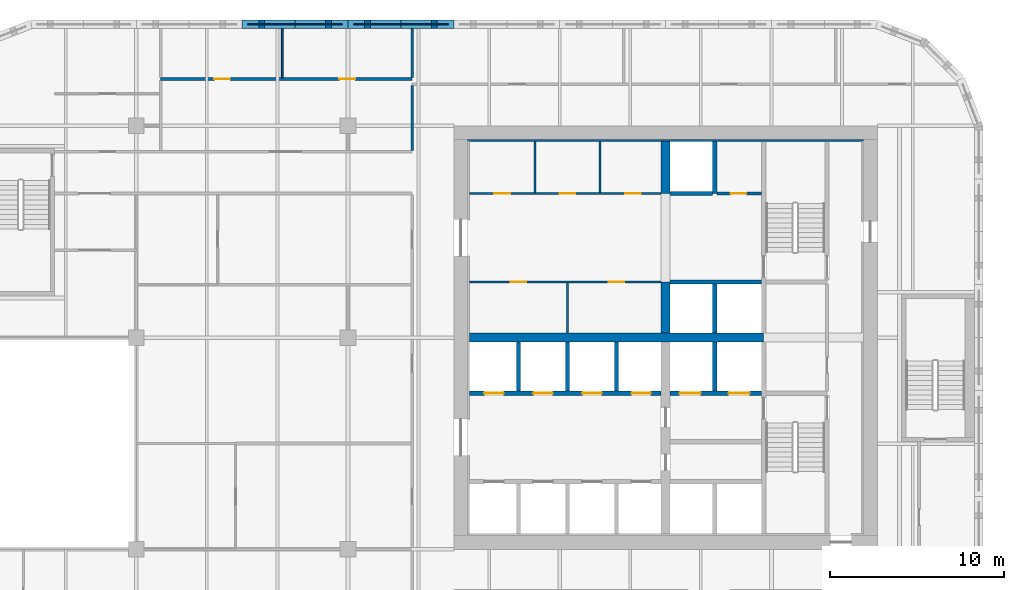
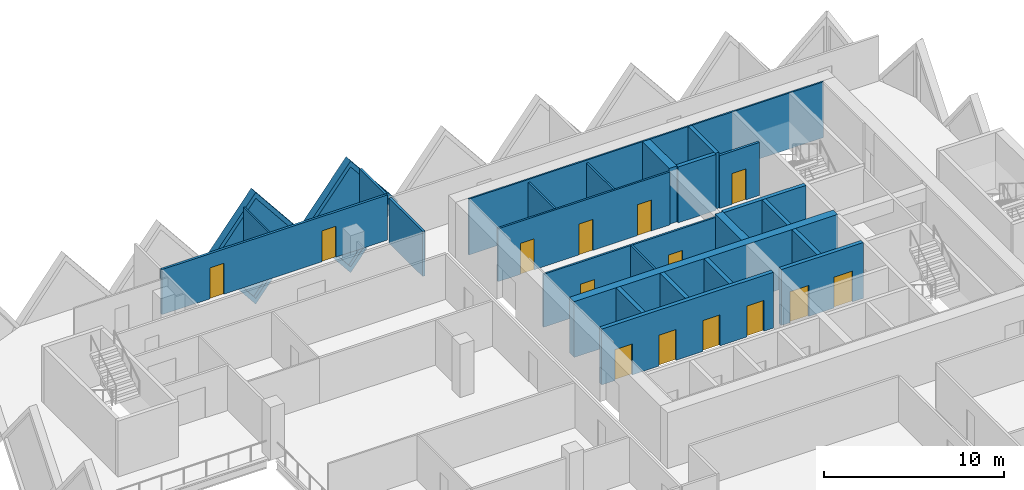
# One storey, part 9 of 19: 26 walls, 14 doors, 2 plates, 16 openings.
"""IFC4 building model written with IfcOpenShell, lengths in metres."""

from ifc_helpers import new_model, si_unit, direction, frame, frame_2d, origin, place, context, subcontext, project, spatial, polyline, rectangle, outline, extrude, faceted_brep, source, transform, mapped, material, layer, layer_set, type_object, element, fill, save


model = new_model("IFC4")

# Units and contexts
model_context = context("Model", 3, precision=1e-05, world=origin(), true_north=direction((0.0, 1.0)))
body_context = subcontext(model_context, "Body", "Model", "MODEL_VIEW")
ifc_project = project(units=[si_unit("LENGTHUNIT", "METRE"), si_unit("AREAUNIT", "SQUARE_METRE"), si_unit("VOLUMEUNIT", "CUBIC_METRE"), si_unit("PLANEANGLEUNIT", "RADIAN"), si_unit("MASSUNIT", "GRAM", prefix="KILO")], contexts=[model_context])

# Site, building, storey
site_placement = place(None, origin())
site = spatial("IfcSite", under=ifc_project, at=site_placement, CompositionType="ELEMENT")
building_placement = place(site_placement, origin())
building = spatial("IfcBuilding", under=site, at=building_placement, Name="Tessera Gate Towers", CompositionType="ELEMENT")
storey_placement = place(building_placement, frame((0.0, 0.0, 80.0)))
storey = spatial("IfcBuildingStorey", under=building, at=storey_placement, Name="L19", CompositionType="ELEMENT", Elevation=80.0)

# Wall, openings, doors
ifc_material_1 = material(Name="Concrete C40/50", Category="concrete")
ifc_layer_1 = layer(ifc_material_1, 0.25)
ifc_layer_set_1 = layer_set([ifc_layer_1], Name="CORE ENCLOSURE WALL 250")
wall_type_1 = type_object("IfcWallType", Name="CORE ENCLOSURE WALL 250", PredefinedType="SOLIDWALL", material=ifc_layer_set_1)
wall_1_placement = place(storey_placement, frame((42.449951171875, 33.39990234375, 0.0), z_axis=(0.0, 0.0, 1.0), x_axis=(-1.0, 0.0, 0.0)))
wall_1 = element("IfcWall", 1, at=wall_1_placement, inside=storey, type_object=wall_type_1, Name="L19 shaft and stair enclosure wall", PredefinedType="SOLIDWALL", context=body_context, shape_type="SweptSolid", body=[
    extrude(rectangle(XDim=11.050048828125, YDim=0.25, at=frame_2d((5.52490234375, 0.0))), origin(), (0.0, 0.0, 1.0), 3.800048828125),
])
shared_shape_1 = source(origin(), body_context, "Body", "SweptSolid", [
    extrude(rectangle(XDim=1.10009765625, YDim=2.10009765625, at=frame_2d((0.550048828125, 1.050048828125))), frame((0.0, 0.135009765625, 0.0), z_axis=(0.0, -1.0, 0.0), x_axis=(1.0, 0.0, 0.0)), (0.0, 0.0, 1.0), 0.27001953125),
])
opening_1_placement = place(wall_1_placement, frame((9.08740234375, 0.0, 0.0)))
opening_1 = element("IfcOpeningElement", 2, at=opening_1_placement, cuts=wall_1, Name="Opening LD-LR5", PredefinedType="OPENING", context=body_context, shape_type="MappedRepresentation", body=[
    mapped(shared_shape_1, transform((0.0, 0.0, 0.0), scale=1.0)),
])
opening_2_placement = place(wall_1_placement, frame((6.262451171875, 0.0, 0.0)))
opening_2 = element("IfcOpeningElement", 3, at=opening_2_placement, cuts=wall_1, Name="Opening LD-LR6", PredefinedType="OPENING", context=body_context, shape_type="MappedRepresentation", body=[
    mapped(shared_shape_1, transform((0.0, 0.0, 0.0), scale=1.0)),
])
opening_3_placement = place(wall_1_placement, frame((3.4375, 0.0, 0.0)))
opening_3 = element("IfcOpeningElement", 4, at=opening_3_placement, cuts=wall_1, Name="Opening LD-LR7", PredefinedType="OPENING", context=body_context, shape_type="MappedRepresentation", body=[
    mapped(shared_shape_1, transform((0.0, 0.0, 0.0), scale=1.0)),
])
opening_4_placement = place(wall_1_placement, frame((0.612548828125, 0.0, 0.0)))
opening_4 = element("IfcOpeningElement", 5, at=opening_4_placement, cuts=wall_1, Name="Opening LD-LR8", PredefinedType="OPENING", context=body_context, shape_type="MappedRepresentation", body=[
    mapped(shared_shape_1, transform((0.0, 0.0, 0.0), scale=1.0)),
])
ifc_material_2 = material(Name="Stainless steel", Category="steel")
door_type_1 = type_object("IfcDoorType", Name="CORE DOOR LD 1100x2100", OperationType="DOUBLE_DOOR_SLIDING", PredefinedType="DOOR", material=ifc_material_2)
shared_shape_2 = source(origin(), body_context, "Body", "SweptSolid", [
    extrude(rectangle(XDim=1.10009765625, YDim=2.10009765625, at=frame_2d((0.550048828125, 1.050048828125))), frame((0.0, 0.02490234375, 0.0), z_axis=(0.0, -1.0, 0.0), x_axis=(1.0, 0.0, 0.0)), (0.0, 0.0, 1.0), 0.050048828125),
])
door_1_placement = place(opening_1_placement, origin())
door_1 = element("IfcDoor", 6, at=door_1_placement, inside=storey, type_object=door_type_1, Name="Landing door LR5 L19", OperationType="DOUBLE_DOOR_SLIDING", OverallHeight=2.10009765625, OverallWidth=1.10009765625, PredefinedType="DOOR", context=body_context, shape_type="MappedRepresentation", body=[
    mapped(shared_shape_2, transform((0.0, 0.0, 0.0), scale=1.0)),
])
fill(opening_1, door_1)
door_2_placement = place(opening_2_placement, origin())
door_2 = element("IfcDoor", 7, at=door_2_placement, inside=storey, type_object=door_type_1, Name="Landing door LR6 L19", OperationType="DOUBLE_DOOR_SLIDING", OverallHeight=2.10009765625, OverallWidth=1.10009765625, PredefinedType="DOOR", context=body_context, shape_type="MappedRepresentation", body=[
    mapped(shared_shape_2, transform((0.0, 0.0, 0.0), scale=1.0)),
])
fill(opening_2, door_2)
door_3_placement = place(opening_3_placement, origin())
door_3 = element("IfcDoor", 8, at=door_3_placement, inside=storey, type_object=door_type_1, Name="Landing door LR7 L19", OperationType="DOUBLE_DOOR_SLIDING", OverallHeight=2.10009765625, OverallWidth=1.10009765625, PredefinedType="DOOR", context=body_context, shape_type="MappedRepresentation", body=[
    mapped(shared_shape_2, transform((0.0, 0.0, 0.0), scale=1.0)),
])
fill(opening_3, door_3)
door_4_placement = place(opening_4_placement, origin())
door_4 = element("IfcDoor", 9, at=door_4_placement, inside=storey, type_object=door_type_1, Name="Landing door LR8 L19", OperationType="DOUBLE_DOOR_SLIDING", OverallHeight=2.10009765625, OverallWidth=1.10009765625, PredefinedType="DOOR", context=body_context, shape_type="MappedRepresentation", body=[
    mapped(shared_shape_2, transform((0.0, 0.0, 0.0), scale=1.0)),
])
fill(opening_4, door_4)

wall_2_placement = place(storey_placement, frame((48.22509765625, 33.39990234375, 0.0), z_axis=(0.0, 0.0, 1.0), x_axis=(-1.0, 0.0, 0.0)))
wall_2 = element("IfcWall", 10, at=wall_2_placement, inside=storey, type_object=wall_type_1, Name="L19 shaft and stair enclosure wall", PredefinedType="SOLIDWALL", context=body_context, shape_type="SweptSolid", body=[
    extrude(rectangle(XDim=5.275146484375, YDim=0.25, at=frame_2d((2.6376953125, 0.0))), origin(), (0.0, 0.0, 1.0), 3.800048828125),
])
shared_shape_3 = source(origin(), body_context, "Body", "SweptSolid", [
    extrude(rectangle(XDim=1.199951171875, YDim=2.10009765625, at=frame_2d((0.60009765625, 1.050048828125))), frame((0.0, 0.135009765625, 0.0), z_axis=(0.0, -1.0, 0.0), x_axis=(1.0, 0.0, 0.0)), (0.0, 0.0, 1.0), 0.27001953125),
])
opening_5_placement = place(wall_2_placement, frame((3.512451171875, 0.0, 0.0)))
opening_5 = element("IfcOpeningElement", 11, at=opening_5_placement, cuts=wall_2, Name="Opening LD-FF1", PredefinedType="OPENING", context=body_context, shape_type="MappedRepresentation", body=[
    mapped(shared_shape_3, transform((0.0, 0.0, 0.0), scale=1.0)),
])
opening_6_placement = place(wall_2_placement, frame((0.6875, 0.0, 0.0)))
opening_6 = element("IfcOpeningElement", 12, at=opening_6_placement, cuts=wall_2, Name="Opening LD-FF2", PredefinedType="OPENING", context=body_context, shape_type="MappedRepresentation", body=[
    mapped(shared_shape_3, transform((0.0, 0.0, 0.0), scale=1.0)),
])
ifc_material_3 = material(Name="Stainless steel", Category="steel")
door_type_2 = type_object("IfcDoorType", Name="CORE DOOR LD1200 1200x2100", OperationType="DOUBLE_DOOR_SLIDING", PredefinedType="DOOR", material=ifc_material_3)
shared_shape_4 = source(origin(), body_context, "Body", "SweptSolid", [
    extrude(rectangle(XDim=1.199951171875, YDim=2.10009765625, at=frame_2d((0.60009765625, 1.050048828125))), frame((0.0, 0.02490234375, 0.0), z_axis=(0.0, -1.0, 0.0), x_axis=(1.0, 0.0, 0.0)), (0.0, 0.0, 1.0), 0.050048828125),
])
door_5_placement = place(opening_5_placement, origin())
door_5 = element("IfcDoor", 13, at=door_5_placement, inside=storey, type_object=door_type_2, Name="Landing door FF1 L19", OperationType="DOUBLE_DOOR_SLIDING", OverallHeight=2.10009765625, OverallWidth=1.199951171875, PredefinedType="DOOR", context=body_context, shape_type="MappedRepresentation", body=[
    mapped(shared_shape_4, transform((0.0, 0.0, 0.0), scale=1.0)),
])
fill(opening_5, door_5)
door_6_placement = place(opening_6_placement, origin())
door_6 = element("IfcDoor", 14, at=door_6_placement, inside=storey, type_object=door_type_2, Name="Landing door FF2 L19", OperationType="DOUBLE_DOOR_SLIDING", OverallHeight=2.10009765625, OverallWidth=1.199951171875, PredefinedType="DOOR", context=body_context, shape_type="MappedRepresentation", body=[
    mapped(shared_shape_4, transform((0.0, 0.0, 0.0), scale=1.0)),
])
fill(opening_6, door_6)

# Walls
wall_3_placement = place(storey_placement, frame((42.949951171875, 39.800048828125, 0.0), z_axis=(0.0, 0.0, 1.0), x_axis=(1.0, 0.0, 0.0)))
element("IfcWall", 15, at=wall_3_placement, inside=storey, type_object=wall_type_1, Name="L19 shaft and stair enclosure wall", PredefinedType="SOLIDWALL", context=body_context, shape_type="SweptSolid", body=[
    extrude(rectangle(XDim=5.275146484375, YDim=0.25, at=frame_2d((2.6376953125, 0.0))), origin(), (0.0, 0.0, 1.0), 3.800048828125),
])
wall_4_placement = place(storey_placement, frame((45.52490234375, 33.52490234375, 0.0), z_axis=(0.0, 0.0, 1.0), x_axis=(0.0, 1.0, 0.0)))
element("IfcWall", 16, at=wall_4_placement, inside=storey, type_object=wall_type_1, Name="L19 shaft and stair enclosure wall", PredefinedType="SOLIDWALL", context=body_context, shape_type="SweptSolid", body=[
    extrude(rectangle(XDim=2.8251953125, YDim=0.25, at=frame_2d((1.41259765625, 0.0))), origin(), (0.0, 0.0, 1.0), 3.800048828125),
])
wall_5_placement = place(storey_placement, frame((45.52490234375, 36.85009765625, 0.0), z_axis=(0.0, 0.0, 1.0), x_axis=(0.0, 1.0, 0.0)))
element("IfcWall", 17, at=wall_5_placement, inside=storey, type_object=wall_type_1, Name="L19 shaft and stair enclosure wall", PredefinedType="SOLIDWALL", context=body_context, shape_type="SweptSolid", body=[
    extrude(rectangle(XDim=2.824951171875, YDim=0.25, at=frame_2d((1.41259765625, 0.0))), origin(), (0.0, 0.0, 1.0), 3.800048828125),
])
for number, where, z_axis, x_axis, name in (
    (18, (34.22509765625, 33.52490234375, 0.0), (0.0, 0.0, 1.0), (0.0, 1.0, 0.0), "L19 shaft and stair enclosure wall"),
    (19, (37.050048828125, 33.52490234375, 0.0), (0.0, 0.0, 1.0), (0.0, 1.0, 0.0), "L19 shaft and stair enclosure wall"),
    (20, (39.875, 33.52490234375, 0.0), (0.0, 0.0, 1.0), (0.0, 1.0, 0.0), "L19 shaft and stair enclosure wall"),
):
    element("IfcWall", number, at=place(storey_placement, frame(where, z_axis=z_axis, x_axis=x_axis)), inside=storey, type_object=wall_type_1, Name=name, PredefinedType="SOLIDWALL", context=body_context, shape_type="SweptSolid", body=[
        extrude(rectangle(XDim=2.8251953125, YDim=0.25, at=frame_2d((1.41259765625, 0.0))), origin(), (0.0, 0.0, 1.0), 3.800048828125),
    ])
wall_6_placement = place(storey_placement, frame((45.52490234375, 44.89990234375, 0.0), z_axis=(0.0, 0.0, 1.0), x_axis=(0.0, 1.0, 0.0)))
element("IfcWall", 21, at=wall_6_placement, inside=storey, type_object=wall_type_1, Name="L19 shaft and stair enclosure wall", PredefinedType="SOLIDWALL", context=body_context, shape_type="SweptSolid", body=[
    extrude(rectangle(XDim=3.0, YDim=0.25, at=frame_2d((1.5, 0.0))), origin(), (0.0, 0.0, 1.0), 3.800048828125),
])
wall_7_placement = place(storey_placement, frame((42.949951171875, 44.89990234375, 0.0), z_axis=(0.0, 0.0, 1.0), x_axis=(1.0, 0.0, 0.0)))
element("IfcWall", 22, at=wall_7_placement, inside=storey, type_object=wall_type_1, Name="L19 shaft and stair enclosure wall", PredefinedType="SOLIDWALL", context=body_context, shape_type="SweptSolid", body=[
    extrude(rectangle(XDim=2.449951171875, YDim=0.25, at=frame_2d((1.22509765625, 0.0))), origin(), (0.0, 0.0, 1.0), 3.800048828125),
])

# Wall, openings, doors
ifc_material_4 = material(Name="Gypsum board on steel studs", Category="steel")
ifc_layer_2 = layer(ifc_material_4, 0.1201171875)
ifc_layer_set_2 = layer_set([ifc_layer_2], Name="CORE PARTITION 120")
wall_type_2 = type_object("IfcWallType", Name="CORE PARTITION 120", PredefinedType="PARTITIONING", material=ifc_layer_set_2)
wall_8_placement = place(storey_placement, frame((42.449951171875, 39.800048828125, 0.0), z_axis=(0.0, 0.0, 1.0), x_axis=(-1.0, 0.0, 0.0)))
wall_8 = element("IfcWall", 23, at=wall_8_placement, inside=storey, type_object=wall_type_2, Name="L19 core partition", PredefinedType="PARTITIONING", context=body_context, shape_type="SweptSolid", body=[
    extrude(rectangle(XDim=11.050048828125, YDim=0.1201171875, at=frame_2d((5.52490234375, 0.0))), origin(), (0.0, 0.0, 1.0), 3.60009765625),
])
shared_shape_5 = source(origin(), body_context, "Body", "SweptSolid", [
    extrude(rectangle(XDim=0.89990234375, YDim=2.10009765625, at=frame_2d((0.449951171875, 1.050048828125))), frame((0.0, 0.070068359375, 0.0), z_axis=(0.0, -1.0, 0.0), x_axis=(1.0, 0.0, 0.0)), (0.0, 0.0, 1.0), 0.14013671875),
])
opening_7_placement = place(wall_8_placement, frame((7.77490234375, 0.0, 0.0)))
opening_7 = element("IfcOpeningElement", 24, at=opening_7_placement, cuts=wall_8, Name="Opening RD-T1-14-07", PredefinedType="OPENING", context=body_context, shape_type="MappedRepresentation", body=[
    mapped(shared_shape_5, transform((0.0, 0.0, 0.0), scale=1.0)),
])
opening_8_placement = place(wall_8_placement, frame((2.125, 0.0, 0.0)))
opening_8 = element("IfcOpeningElement", 25, at=opening_8_placement, cuts=wall_8, Name="Opening RD-T1-14-08", PredefinedType="OPENING", context=body_context, shape_type="MappedRepresentation", body=[
    mapped(shared_shape_5, transform((0.0, 0.0, 0.0), scale=1.0)),
])
ifc_material_5 = material(Name="Hollow steel fire door", Category="steel")
door_type_3 = type_object("IfcDoorType", Name="CORE DOOR RD 900x2100", OperationType="NOTDEFINED", PredefinedType="DOOR", material=ifc_material_5)
shared_shape_6 = source(origin(), body_context, "Body", "SweptSolid", [
    extrude(rectangle(XDim=0.89990234375, YDim=2.10009765625, at=frame_2d((0.449951171875, 1.050048828125))), frame((0.0, 0.02490234375, 0.0), z_axis=(0.0, -1.0, 0.0), x_axis=(1.0, 0.0, 0.0)), (0.0, 0.0, 1.0), 0.050048828125),
])
door_7_placement = place(opening_7_placement, origin())
door_7 = element("IfcDoor", 26, at=door_7_placement, inside=storey, type_object=door_type_3, Name="Core room door", OperationType="SINGLE_SWING_RIGHT", OverallHeight=2.10009765625, OverallWidth=0.89990234375, PredefinedType="DOOR", context=body_context, shape_type="MappedRepresentation", body=[
    mapped(shared_shape_6, transform((0.0, 0.0, 0.0), scale=1.0)),
])
fill(opening_7, door_7)
door_8_placement = place(opening_8_placement, origin())
door_8 = element("IfcDoor", 27, at=door_8_placement, inside=storey, type_object=door_type_3, Name="Core room door", OperationType="SINGLE_SWING_LEFT", OverallHeight=2.10009765625, OverallWidth=0.89990234375, PredefinedType="DOOR", context=body_context, shape_type="MappedRepresentation", body=[
    mapped(shared_shape_6, transform((0.0, 0.0, 0.0), scale=1.0)),
])
fill(opening_8, door_8)

wall_9_placement = place(storey_placement, frame((31.39990234375, 44.89990234375, 0.0), z_axis=(0.0, 0.0, 1.0), x_axis=(1.0, 0.0, 0.0)))
wall_9 = element("IfcWall", 28, at=wall_9_placement, inside=storey, type_object=wall_type_2, Name="L19 core partition", PredefinedType="PARTITIONING", context=body_context, shape_type="SweptSolid", body=[
    extrude(rectangle(XDim=11.050048828125, YDim=0.1201171875, at=frame_2d((5.52490234375, 0.0))), origin(), (0.0, 0.0, 1.0), 3.60009765625),
])
opening_9_placement = place(wall_9_placement, frame((1.4375, 0.0, 0.0)))
opening_9 = element("IfcOpeningElement", 29, at=opening_9_placement, cuts=wall_9, Name="Opening RD-T1-14-09", PredefinedType="OPENING", context=body_context, shape_type="MappedRepresentation", body=[
    mapped(shared_shape_5, transform((0.0, 0.0, 0.0), scale=1.0)),
])
opening_10_placement = place(wall_9_placement, frame((5.199951171875, 0.0, 0.0)))
opening_10 = element("IfcOpeningElement", 30, at=opening_10_placement, cuts=wall_9, Name="Opening RD-T1-14-10", PredefinedType="OPENING", context=body_context, shape_type="MappedRepresentation", body=[
    mapped(shared_shape_5, transform((0.0, 0.0, 0.0), scale=1.0)),
])
opening_11_placement = place(wall_9_placement, frame((8.96240234375, 0.0, 0.0)))
opening_11 = element("IfcOpeningElement", 31, at=opening_11_placement, cuts=wall_9, Name="Opening RD-T1-14-11", PredefinedType="OPENING", context=body_context, shape_type="MappedRepresentation", body=[
    mapped(shared_shape_5, transform((0.0, 0.0, 0.0), scale=1.0)),
])
door_9_placement = place(opening_9_placement, origin())
door_9 = element("IfcDoor", 32, at=door_9_placement, inside=storey, type_object=door_type_3, Name="Core room door", OperationType="SINGLE_SWING_LEFT", OverallHeight=2.10009765625, OverallWidth=0.89990234375, PredefinedType="DOOR", context=body_context, shape_type="MappedRepresentation", body=[
    mapped(shared_shape_6, transform((0.0, 0.0, 0.0), scale=1.0)),
])
fill(opening_9, door_9)
door_10_placement = place(opening_10_placement, origin())
door_10 = element("IfcDoor", 33, at=door_10_placement, inside=storey, type_object=door_type_3, Name="Core room door", OperationType="SINGLE_SWING_RIGHT", OverallHeight=2.10009765625, OverallWidth=0.89990234375, PredefinedType="DOOR", context=body_context, shape_type="MappedRepresentation", body=[
    mapped(shared_shape_6, transform((0.0, 0.0, 0.0), scale=1.0)),
])
fill(opening_10, door_10)
door_11_placement = place(opening_11_placement, origin())
door_11 = element("IfcDoor", 34, at=door_11_placement, inside=storey, type_object=door_type_3, Name="Core room door", OperationType="SINGLE_SWING_RIGHT", OverallHeight=2.10009765625, OverallWidth=0.89990234375, PredefinedType="DOOR", context=body_context, shape_type="MappedRepresentation", body=[
    mapped(shared_shape_6, transform((0.0, 0.0, 0.0), scale=1.0)),
])
fill(opening_11, door_11)

# Walls
wall_10_placement = place(storey_placement, frame((37.050048828125, 36.85009765625, 0.0), z_axis=(0.0, 0.0, 1.0), x_axis=(0.0, 1.0, 0.0)))
element("IfcWall", 35, at=wall_10_placement, inside=storey, type_object=wall_type_2, Name="L19 core partition", PredefinedType="PARTITIONING", context=body_context, shape_type="SweptSolid", body=[
    extrude(rectangle(XDim=2.889892578125, YDim=0.1201171875, at=frame_2d((1.44482421875, 0.0))), origin(), (0.0, 0.0, 1.0), 3.60009765625),
])
for number, where, z_axis, x_axis, name in (
    (36, (35.175048828125, 44.9599609375, 0.0), (0.0, 0.0, 1.0), (0.0, 1.0, 0.0), "L19 core partition"),
    (37, (38.925048828125, 44.9599609375, 0.0), (0.0, 0.0, 1.0), (0.0, 1.0, 0.0), "L19 core partition"),
):
    element("IfcWall", number, at=place(storey_placement, frame(where, z_axis=z_axis, x_axis=x_axis)), inside=storey, type_object=wall_type_2, Name=name, PredefinedType="PARTITIONING", context=body_context, shape_type="SweptSolid", body=[
        extrude(rectangle(XDim=2.93994140625, YDim=0.1201171875, at=frame_2d((1.469970703125, 0.0))), origin(), (0.0, 0.0, 1.0), 3.60009765625),
    ])
ifc_material_6 = material(Name="Concrete C60/75", Category="concrete")
ifc_layer_3 = layer(ifc_material_6, 0.5)
ifc_layer_set_3 = layer_set([ifc_layer_3], Name="CORE SPINE WALL 500 C60/75")
wall_type_3 = type_object("IfcWallType", Name="CORE SPINE WALL 500 C60/75", PredefinedType="SHEAR", material=ifc_layer_set_3)
wall_11_placement = place(storey_placement, frame((31.39990234375, 36.60009765625, 0.0), z_axis=(0.0, 0.0, 1.0), x_axis=(1.0, 0.0, 0.0)))
element("IfcWall", 38, at=wall_11_placement, inside=storey, type_object=wall_type_3, Name="Core wall spine L19", PredefinedType="SHEAR", context=body_context, shape_type="SweptSolid", body=[
    extrude(rectangle(XDim=16.9501953125, YDim=0.5, at=frame_2d((8.47509765625, 0.0))), origin(), (0.0, 0.0, 1.0), 3.800048828125),
])
wall_12_placement = place(storey_placement, frame((42.699951171875, 36.85009765625, 0.0), z_axis=(0.0, 0.0, 1.0), x_axis=(0.0, 1.0, 0.0)))
element("IfcWall", 39, at=wall_12_placement, inside=storey, type_object=wall_type_3, Name="Core wall spine L19", PredefinedType="SHEAR", context=body_context, shape_type="SweptSolid", body=[
    extrude(rectangle(XDim=2.949951171875, YDim=0.5, at=frame_2d((1.47509765625, 0.0))), origin(), (0.0, 0.0, 1.0), 3.800048828125),
])
wall_13_placement = place(storey_placement, frame((42.699951171875, 44.89990234375, 0.0), z_axis=(0.0, 0.0, 1.0), x_axis=(0.0, 1.0, 0.0)))
element("IfcWall", 40, at=wall_13_placement, inside=storey, type_object=wall_type_3, Name="Core wall spine L19", PredefinedType="SHEAR", context=body_context, shape_type="SweptSolid", body=[
    extrude(rectangle(XDim=3.0, YDim=0.5, at=frame_2d((1.5, 0.0))), origin(), (0.0, 0.0, 1.0), 3.800048828125),
])
ifc_material_7 = material(Name="Concrete C60/75", Category="concrete")
ifc_layer_4 = layer(ifc_material_7, 0.10009765625)
ifc_layer_set_4 = layer_set([ifc_layer_4], Name="CORE WALL THICKENING 100")
wall_type_4 = type_object("IfcWallType", Name="CORE WALL THICKENING 100", PredefinedType="SOLIDWALL", material=ifc_layer_set_4)
wall_14_placement = place(storey_placement, frame((31.300048828125, 47.949951171875, 0.0), z_axis=(0.0, 0.0, 1.0), x_axis=(1.0, 0.0, 0.0)))
element("IfcWall", 41, at=wall_14_placement, inside=storey, type_object=wall_type_4, Name="Core wall thickening N L19", PredefinedType="SOLIDWALL", context=body_context, shape_type="SweptSolid", body=[
    extrude(rectangle(XDim=22.800048828125, YDim=0.10009765625, at=frame_2d((11.39990234375, 0.0))), origin(), (0.0, 0.0, 1.0), 3.800048828125),
])
ifc_material_8 = material(Name="Gypsum board on steel studs, mineral wool", Category="steel")
ifc_layer_5 = layer(ifc_material_8, 0.14990234375)
ifc_layer_set_5 = layer_set([ifc_layer_5], Name="CORRIDOR WALL 150")
wall_type_5 = type_object("IfcWallType", Name="CORRIDOR WALL 150", PredefinedType="PARTITIONING", material=ifc_layer_set_5)
wall_15_placement = place(storey_placement, frame((28.10009765625, 47.3759765625, 0.0), z_axis=(0.0, 0.0, 1.0), x_axis=(0.0, 1.0, 0.0)))
element("IfcWall", 42, at=wall_15_placement, inside=storey, type_object=wall_type_5, Name="T1-L19-PW-042", PredefinedType="PARTITIONING", context=body_context, shape_type="SweptSolid", body=[
    extrude(rectangle(XDim=3.748046875, YDim=0.14990234375, at=frame_2d((1.8740234375, 0.0))), origin(), (0.0, 0.0, 1.0), 3.06689453125),
])
ifc_material_9 = material(Name="Gypsum board on steel studs", Category="steel")
ifc_layer_6 = layer(ifc_material_9, 0.10009765625)
ifc_layer_set_6 = layer_set([ifc_layer_6], Name="PARTITION 100")
wall_type_6 = type_object("IfcWallType", Name="PARTITION 100", PredefinedType="PARTITIONING", material=ifc_layer_set_6)
wall_16_placement = place(storey_placement, frame((20.60498046875, 51.575927734375, 0.0), z_axis=(0.0, 0.0, 1.0), x_axis=(0.0, 1.0, 0.0)))
element("IfcWall", 43, at=wall_16_placement, inside=storey, type_object=wall_type_6, Name="T1-L19-PW-051", PredefinedType="PARTITIONING", context=body_context, shape_type="SweptSolid", body=[
    extrude(rectangle(XDim=2.823974609375, YDim=0.10009765625, at=frame_2d((1.412109375, 0.0))), origin(), (0.0, 0.0, 1.0), 3.06689453125),
])

# Wall, opening, door
ifc_material_10 = material(Name="Gypsum board on steel studs", Category="steel")
ifc_layer_7 = layer(ifc_material_10, 0.14990234375)
ifc_layer_set_7 = layer_set([ifc_layer_7], Name="SERVICE ROOM WALL 150")
wall_type_7 = type_object("IfcWallType", Name="SERVICE ROOM WALL 150", PredefinedType="PARTITIONING", material=ifc_layer_set_7)
wall_17_placement = place(storey_placement, frame((45.64990234375, 44.89990234375, 0.0), z_axis=(0.0, 0.0, 1.0), x_axis=(1.0, 0.0, 0.0)))
wall_17 = element("IfcWall", 44, at=wall_17_placement, inside=storey, type_object=wall_type_7, Name="L19 service room wall", PredefinedType="PARTITIONING", context=body_context, shape_type="SweptSolid", body=[
    extrude(rectangle(XDim=2.5751953125, YDim=0.14990234375, at=frame_2d((1.28759765625, 0.0))), origin(), (0.0, 0.0, 1.0), 3.60009765625),
])
shared_shape_7 = source(origin(), body_context, "Body", "SweptSolid", [
    extrude(rectangle(XDim=0.89990234375, YDim=2.10009765625, at=frame_2d((0.449951171875, 1.050048828125))), frame((0.0, 0.0849609375, 0.0), z_axis=(0.0, -1.0, 0.0), x_axis=(1.0, 0.0, 0.0)), (0.0, 0.0, 1.0), 0.169921875),
])
opening_12_placement = place(wall_17_placement, frame((0.800048828125, 0.0, 0.0)))
opening_12 = element("IfcOpeningElement", 45, at=opening_12_placement, cuts=wall_17, Name="Opening RD-T1-14-13", PredefinedType="OPENING", context=body_context, shape_type="MappedRepresentation", body=[
    mapped(shared_shape_7, transform((0.0, 0.0, 0.0), scale=1.0)),
])
door_12_placement = place(opening_12_placement, origin())
door_12 = element("IfcDoor", 46, at=door_12_placement, inside=storey, type_object=door_type_3, Name="Core room door", OperationType="SINGLE_SWING_LEFT", OverallHeight=2.10009765625, OverallWidth=0.89990234375, PredefinedType="DOOR", context=body_context, shape_type="MappedRepresentation", body=[
    mapped(shared_shape_6, transform((0.0, 0.0, 0.0), scale=1.0)),
])
fill(opening_12, door_12)

# Wall, openings, doors
ifc_material_11 = material(Name="Gypsum board on steel studs, mineral wool", Category="steel")
ifc_layer_8 = layer(ifc_material_11, 0.14990234375)
ifc_layer_set_8 = layer_set([ifc_layer_8], Name="TENANCY WALL 150")
wall_type_8 = type_object("IfcWallType", Name="TENANCY WALL 150", PredefinedType="PARTITIONING", material=ifc_layer_set_8)
wall_18_placement = place(storey_placement, frame((13.60009765625, 51.5, 0.0), z_axis=(0.0, 0.0, 1.0), x_axis=(1.0, 0.0, 0.0)))
wall_18 = element("IfcWall", 47, at=wall_18_placement, inside=storey, type_object=wall_type_8, Name="T1-L19-PW-049", PredefinedType="PARTITIONING", context=body_context, shape_type="SweptSolid", body=[
    extrude(rectangle(XDim=14.5, YDim=0.14990234375, at=frame_2d((7.25, 0.0))), origin(), (0.0, 0.0, 1.0), 3.06689453125),
])
opening_13_placement = place(wall_18_placement, frame((3.10009765625, 0.0, 0.0)))
opening_13 = element("IfcOpeningElement", 48, at=opening_13_placement, cuts=wall_18, Name="Opening D190-A07-01", PredefinedType="OPENING", context=body_context, shape_type="MappedRepresentation", body=[
    mapped(shared_shape_7, transform((0.0, 0.0, 0.0), scale=1.0)),
])
opening_14_placement = place(wall_18_placement, frame((10.3046875, 0.0, 0.0)))
opening_14 = element("IfcOpeningElement", 49, at=opening_14_placement, cuts=wall_18, Name="Opening D190-A07-02", PredefinedType="OPENING", context=body_context, shape_type="MappedRepresentation", body=[
    mapped(shared_shape_7, transform((0.0, 0.0, 0.0), scale=1.0)),
])
ifc_material_12 = material(Name="Timber door leaf in steel frame", Category="steel")
door_type_4 = type_object("IfcDoorType", Name="INTERNAL DOOR 900 NOT RATED", OperationType="NOTDEFINED", PredefinedType="DOOR", material=ifc_material_12)
door_13_placement = place(opening_13_placement, origin())
door_13 = element("IfcDoor", 50, at=door_13_placement, inside=storey, type_object=door_type_4, Name="T1-L19-PD-013", OperationType="SINGLE_SWING_LEFT", OverallHeight=2.10009765625, OverallWidth=0.89990234375, PredefinedType="DOOR", context=body_context, shape_type="MappedRepresentation", body=[
    mapped(shared_shape_6, transform((0.0, 0.0, 0.0), scale=1.0)),
])
fill(opening_13, door_13)
door_14_placement = place(opening_14_placement, origin())
door_14 = element("IfcDoor", 51, at=door_14_placement, inside=storey, type_object=door_type_4, Name="T1-L19-PD-015", OperationType="SINGLE_SWING_LEFT", OverallHeight=2.10009765625, OverallWidth=0.89990234375, PredefinedType="DOOR", context=body_context, shape_type="MappedRepresentation", body=[
    mapped(shared_shape_6, transform((0.0, 0.0, 0.0), scale=1.0)),
])
fill(opening_14, door_14)

# Wall
wall_19_placement = place(storey_placement, frame((28.10009765625, 51.575927734375, 0.0), z_axis=(0.0, 0.0, 1.0), x_axis=(0.0, 1.0, 0.0)))
element("IfcWall", 52, at=wall_19_placement, inside=storey, type_object=wall_type_8, Name="T1-L19-PW-052", PredefinedType="PARTITIONING", context=body_context, shape_type="SweptSolid", body=[
    extrude(rectangle(XDim=2.823974609375, YDim=0.14990234375, at=frame_2d((1.412109375, 0.0))), origin(), (0.0, 0.0, 1.0), 3.06689453125),
])

# Wall, opening, plate
ifc_material_13 = material(Name="Precast concrete C60/75 white", Category="concrete")
ifc_layer_9 = layer(ifc_material_13, 0.5)
ifc_layer_set_9 = layer_set([ifc_layer_9], Name="TS1 tessera")
wall_type_9 = type_object("IfcWallType", Name="TS1 tessera", PredefinedType="SOLIDWALL", material=ifc_layer_set_9)
shared_shape_8 = source(origin(), body_context, "Body", "Brep", [
    faceted_brep([(3.050048828125, -0.25, 0.0), (6.099853515625, -0.25, 3.7998046875), (6.099853515625, -0.25, 3.80029296875), (3.050048828125, -0.25, 7.60009765625), (0.0, -0.25, 3.800048828125), (0.0, 0.25, 3.800048828125), (3.050048828125, 0.25, 7.60009765625), (6.099853515625, 0.25, 3.80029296875), (6.099853515625, 0.25, 3.7998046875), (3.050048828125, 0.25, 0.0)], [[[0, 1, 2, 3, 4]], [[5, 6, 7, 8, 9]], [[9, 8, 1, 0]], [[7, 6, 3, 2]], [[6, 5, 4, 3]], [[5, 9, 0, 4]], [[1, 8, 7, 2]]]),
])
wall_20_placement = place(storey_placement, frame((24.39990234375, 54.64990234375, -3.800048828125), z_axis=(0.0, 0.0, 1.0), x_axis=(-1.0, 0.0, 0.0)))
wall_20 = element("IfcWall", 53, at=wall_20_placement, inside=storey, type_object=wall_type_9, Name="Precast tessera T1 TS1-0291", PredefinedType="SOLIDWALL", context=body_context, shape_type="MappedRepresentation", body=[
    mapped(shared_shape_8, transform((0.0, 0.0, 0.0), scale=1.0)),
])
shared_shape_9 = source(origin(), body_context, "Body", "SweptSolid", [
    extrude(outline(polyline([(3.050048828125, 0.3994140625), (5.779541015625, 3.800048828125), (3.050048828125, 7.20068359375), (0.320556640625, 3.800048828125), (3.050048828125, 0.3994140625)])), frame((0.0, 0.260009765625, 0.0), z_axis=(0.0, -1.0, 0.0), x_axis=(1.0, 0.0, 0.0)), (0.0, 0.0, 1.0), 0.52001953125),
])
opening_15_placement = place(wall_20_placement, origin())
opening_15 = element("IfcOpeningElement", 54, at=opening_15_placement, cuts=wall_20, Name="Opening T1-PL2-0587", PredefinedType="OPENING", context=body_context, shape_type="MappedRepresentation", body=[
    mapped(shared_shape_9, transform((0.0, 0.0, 0.0), scale=1.0)),
])
ifc_material_14 = material(Name="Low-e laminated glass", Category="glass")
ifc_layer_10 = layer(ifc_material_14, 0.06005859375)
ifc_layer_set_10 = layer_set([ifc_layer_10], Name="PL2 rhombic pane")
plate_type = type_object("IfcPlateType", Name="PL2 rhombic pane", PredefinedType="SHEET", material=ifc_layer_set_10)
shared_shape_10 = source(origin(), body_context, "Body", "SweptSolid", [
    extrude(outline(polyline([(3.050048828125, 0.3994140625), (5.779541015625, 3.800048828125), (3.050048828125, 7.20068359375), (0.320556640625, 3.800048828125), (3.050048828125, 0.3994140625)])), frame((0.0, 0.030029296875, 0.0), z_axis=(0.0, -1.0, 0.0), x_axis=(1.0, 0.0, 0.0)), (0.0, 0.0, 1.0), 0.06005859375),
])
plate_1_placement = place(opening_15_placement, origin())
plate_1 = element("IfcPlate", 55, at=plate_1_placement, inside=storey, type_object=plate_type, Name="Glass pane T1 PL2-0587", PredefinedType="SHEET", context=body_context, shape_type="MappedRepresentation", body=[
    mapped(shared_shape_10, transform((0.0, 0.0, 0.0), scale=1.0)),
])
fill(opening_15, plate_1)

shared_shape_11 = source(origin(), body_context, "Body", "SweptSolid", [
    extrude(outline(polyline([(3.050048828125, 0.0), (6.10009765625, 3.800048828125), (3.050048828125, 7.60009765625), (0.0, 3.800048828125), (3.050048828125, 0.0)])), frame((0.0, 0.25, 0.0), z_axis=(0.0, -1.0, 0.0), x_axis=(1.0, 0.0, 0.0)), (0.0, 0.0, 1.0), 0.5),
])
wall_21_placement = place(storey_placement, frame((30.5, 54.64990234375, -3.800048828125), z_axis=(0.0, 0.0, 1.0), x_axis=(-1.0, 0.0, 0.0)))
wall_21 = element("IfcWall", 56, at=wall_21_placement, inside=storey, type_object=wall_type_9, Name="Precast tessera T1 TS1-0290", PredefinedType="SOLIDWALL", context=body_context, shape_type="MappedRepresentation", body=[
    mapped(shared_shape_11, transform((0.0, 0.0, 0.0), scale=1.0)),
])
opening_16_placement = place(wall_21_placement, origin())
opening_16 = element("IfcOpeningElement", 57, at=opening_16_placement, cuts=wall_21, Name="Opening T1-PL2-0586", PredefinedType="OPENING", context=body_context, shape_type="MappedRepresentation", body=[
    mapped(shared_shape_9, transform((0.0, 0.0, 0.0), scale=1.0)),
])
plate_2_placement = place(opening_16_placement, origin())
plate_2 = element("IfcPlate", 58, at=plate_2_placement, inside=storey, type_object=plate_type, Name="Glass pane T1 PL2-0586", PredefinedType="SHEET", context=body_context, shape_type="MappedRepresentation", body=[
    mapped(shared_shape_10, transform((0.0, 0.0, 0.0), scale=1.0)),
])
fill(opening_16, plate_2)

save(model, "model.ifc")
